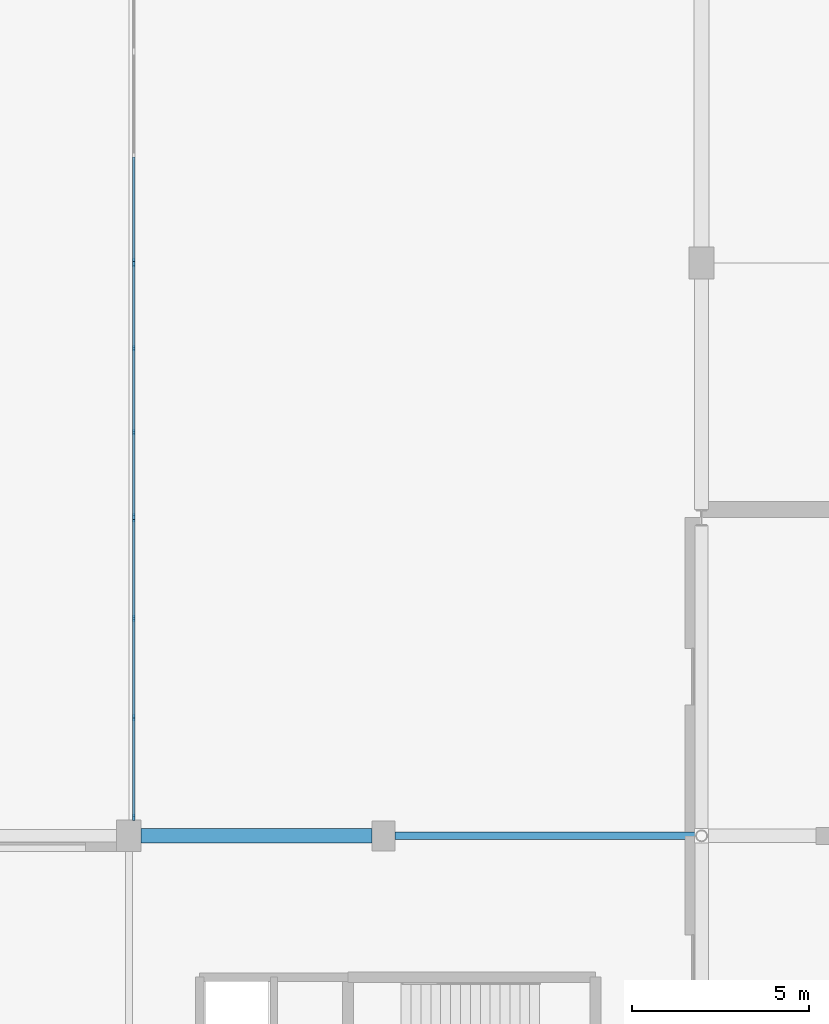
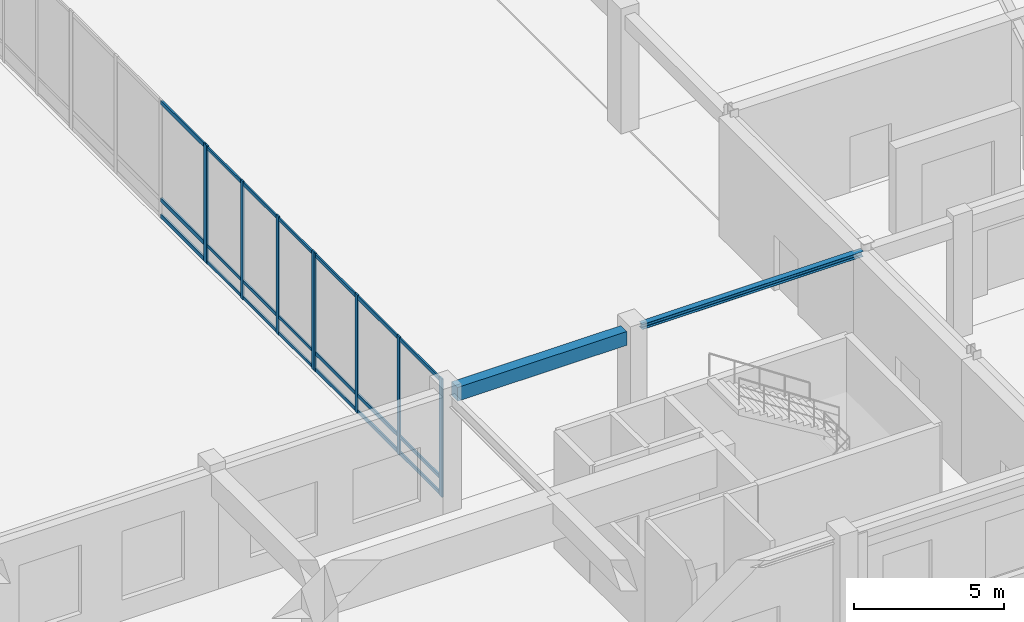
# One storey, part 12 of 64: 30 members, 2 beams, 3 elements without a shape of their own.
"""IFC4 building model written with IfcOpenShell, lengths in metres."""

from ifc_helpers import new_model, si_unit, direction, frame, origin, origin_2d, place, context, subcontext, project, spatial, rectangle, i_section, extrude, material, material_profile, profile_set, type_object, element, aggregate, save


model = new_model("IFC4")

# Units and contexts
model_context = context("Model", 3, precision=1e-05, world=origin(), true_north=direction((0.0, 1.0)))
body_context = subcontext(model_context, "Body", "Model", "MODEL_VIEW")
ifc_project = project(units=[si_unit("LENGTHUNIT", "METRE"), si_unit("AREAUNIT", "SQUARE_METRE"), si_unit("VOLUMEUNIT", "CUBIC_METRE"), si_unit("PLANEANGLEUNIT", "RADIAN"), si_unit("MASSUNIT", "GRAM", prefix="KILO")], contexts=[model_context])

# Site, building, storey
site_placement = place(None, origin())
site = spatial("IfcSite", under=ifc_project, at=site_placement, CompositionType="ELEMENT")
building_placement = place(site_placement, origin())
building = spatial("IfcBuilding", under=site, at=building_placement, Name="Clarverna Civic Hall", CompositionType="ELEMENT")
storey_placement = place(building_placement, origin())
storey = spatial("IfcBuildingStorey", under=building, at=storey_placement, Name="L00", CompositionType="ELEMENT", Elevation=0.0)

# Beams
ifc_material_1 = material(Name="Steel S355", Category="steel")
ifc_material_profile_1 = material_profile(ifc_material_1, i_section(OverallWidth=0.219970703125, OverallDepth=0.2099609375, WebThickness=0.007080078125, FlangeThickness=0.010986328125, FilletRadius=0.01806640625, at=origin_2d()), Name="HEA 220")
ifc_profile_set_1 = profile_set([ifc_material_profile_1], Name="Steel S355")
beam_type_1 = type_object("IfcBeamType", Name="B-LN1", PredefinedType="LINTEL", material=ifc_profile_set_1)
beam_1_placement = place(storey_placement, frame((57.925048828125, 14.0, 4.675048828125), z_axis=(1.0, 0.0, 0.0), x_axis=(0.0, 1.0, 0.0)))
element("IfcBeam", 1, at=beam_1_placement, inside=storey, type_object=beam_type_1, Name="B-LN1-003", PredefinedType="LINTEL", context=body_context, shape_type="SweptSolid", body=[
    extrude(i_section(OverallWidth=0.219970703125, OverallDepth=0.2099609375, WebThickness=0.007080078125, FlangeThickness=0.010986328125, FilletRadius=0.01806640625, at=origin_2d()), origin(), (0.0, 0.0, 1.0), 8.512939453125),
])
ifc_material_2 = material(Name="Concrete C35/45", Category="concrete")
ifc_material_profile_2 = material_profile(ifc_material_2, rectangle(XDim=0.39990234375, YDim=0.56005859375, at=origin_2d()), Name="RC 400x560")
ifc_profile_set_2 = profile_set([ifc_material_profile_2], Name="Concrete C35/45")
beam_type_2 = type_object("IfcBeamType", Name="B-SP4", PredefinedType="SPANDREL", material=ifc_profile_set_2)
beam_2_placement = place(storey_placement, frame((50.75, 14.0, 4.5), z_axis=(1.0, 0.0, 0.0), x_axis=(0.0, 1.0, 0.0)))
element("IfcBeam", 2, at=beam_2_placement, inside=storey, type_object=beam_type_2, Name="B-SP4-035", PredefinedType="SPANDREL", context=body_context, shape_type="SweptSolid", body=[
    extrude(rectangle(XDim=0.39990234375, YDim=0.56005859375, at=origin_2d()), origin(), (0.0, 0.0, 1.0), 6.52490234375),
])

# Curtain wall, members
ifc_material_3 = material(Name="Anodised Bronze Architectural Aluminium", Category="aluminium")
curtain_wall_type = type_object("IfcCurtainWallType", Name="CW-04", PredefinedType="USERDEFINED", material=ifc_material_3)
curtain_wall_1_placement = place(storey_placement, origin())
curtain_wall_1 = element("IfcCurtainWall", 3, at=curtain_wall_1_placement, inside=storey, type_object=curtain_wall_type, Name="CW-04-010", ObjectType="UNITISED CURTAIN WALL", PredefinedType="USERDEFINED")
ifc_material_profile_3 = material_profile(ifc_material_3, rectangle(XDim=0.06005859375, YDim=0.179931640625, at=origin_2d()), Name="BRONZE 60x180")
ifc_profile_set_3 = profile_set([ifc_material_profile_3], Name="Anodised Bronze Architectural Aluminium")
member_type_1 = type_object("IfcMemberType", Name="CWM-01", PredefinedType="MULLION", material=ifc_profile_set_3)
member_1_placement = place(storey_placement, frame((50.5400390625, 14.52294921875, 0.0), z_axis=(0.0, 0.0, 1.0), x_axis=(1.0, 0.0, 0.0)))
member_1 = element("IfcMember", 4, at=member_1_placement, type_object=member_type_1, Name="CWM-01-030", PredefinedType="MULLION", context=body_context, shape_type="SweptSolid", body=[
    extrude(rectangle(XDim=0.06005859375, YDim=0.179931640625, at=origin_2d()), origin(), (0.0, 0.0, 1.0), 4.820068359375),
])
member_2_placement = place(storey_placement, frame((50.5400390625, 17.337646484375, 0.0), z_axis=(0.0, 0.0, 1.0), x_axis=(1.0, 0.0, 0.0)))
member_2 = element("IfcMember", 5, at=member_2_placement, type_object=member_type_1, Name="CWM-01-031", PredefinedType="MULLION", context=body_context, shape_type="SweptSolid", body=[
    extrude(rectangle(XDim=0.06005859375, YDim=0.179931640625, at=origin_2d()), origin(), (0.0, 0.0, 1.0), 4.820068359375),
])
member_3_placement = place(storey_placement, frame((50.5400390625, 20.15234375, 0.0), z_axis=(0.0, 0.0, 1.0), x_axis=(1.0, 0.0, 0.0)))
member_3 = element("IfcMember", 6, at=member_3_placement, type_object=member_type_1, Name="CWM-01-032", PredefinedType="MULLION", context=body_context, shape_type="SweptSolid", body=[
    extrude(rectangle(XDim=0.06005859375, YDim=0.179931640625, at=origin_2d()), origin(), (0.0, 0.0, 1.0), 4.820068359375),
])
member_4_placement = place(storey_placement, frame((50.5400390625, 22.967041015625, 0.0), z_axis=(0.0, 0.0, 1.0), x_axis=(1.0, 0.0, 0.0)))
member_4 = element("IfcMember", 7, at=member_4_placement, type_object=member_type_1, Name="CWM-01-033", PredefinedType="MULLION", context=body_context, shape_type="SweptSolid", body=[
    extrude(rectangle(XDim=0.06005859375, YDim=0.179931640625, at=origin_2d()), origin(), (0.0, 0.0, 1.0), 4.820068359375),
])

curtain_wall_2_placement = place(storey_placement, origin())
curtain_wall_2 = element("IfcCurtainWall", 8, at=curtain_wall_2_placement, inside=storey, type_object=curtain_wall_type, Name="CW-04-011", ObjectType="UNITISED CURTAIN WALL", PredefinedType="USERDEFINED")
ifc_material_profile_4 = material_profile(ifc_material_3, rectangle(XDim=0.06005859375, YDim=0.159912109375, at=origin_2d()), Name="BRONZE 60x160")
ifc_profile_set_4 = profile_set([ifc_material_profile_4], Name="Anodised Bronze Architectural Aluminium")
member_type_2 = type_object("IfcMemberType", Name="CWM-02", PredefinedType="MULLION", material=ifc_profile_set_4)
member_5_placement = place(storey_placement, frame((50.5400390625, 23.032958984375, 0.0), z_axis=(0.0, 0.0, 1.0), x_axis=(1.0, 0.0, 0.0)))
member_5 = element("IfcMember", 9, at=member_5_placement, type_object=member_type_2, Name="CWM-02-029", PredefinedType="MULLION", context=body_context, shape_type="SweptSolid", body=[
    extrude(rectangle(XDim=0.06005859375, YDim=0.159912109375, at=origin_2d()), origin(), (0.0, 0.0, 1.0), 4.820068359375),
])
member_6_placement = place(storey_placement, frame((50.5400390625, 25.410888671875, 0.0), z_axis=(0.0, 0.0, 1.0), x_axis=(1.0, 0.0, 0.0)))
member_6 = element("IfcMember", 10, at=member_6_placement, type_object=member_type_2, Name="CWM-02-030", PredefinedType="MULLION", context=body_context, shape_type="SweptSolid", body=[
    extrude(rectangle(XDim=0.06005859375, YDim=0.159912109375, at=origin_2d()), origin(), (0.0, 0.0, 1.0), 4.820068359375),
])
member_7_placement = place(storey_placement, frame((50.5400390625, 27.7890625, 0.0), z_axis=(0.0, 0.0, 1.0), x_axis=(1.0, 0.0, 0.0)))
member_7 = element("IfcMember", 11, at=member_7_placement, type_object=member_type_2, Name="CWM-02-031", PredefinedType="MULLION", context=body_context, shape_type="SweptSolid", body=[
    extrude(rectangle(XDim=0.06005859375, YDim=0.159912109375, at=origin_2d()), origin(), (0.0, 0.0, 1.0), 4.820068359375),
])
member_8_placement = place(storey_placement, frame((50.5400390625, 30.1669921875, 0.0), z_axis=(0.0, 0.0, 1.0), x_axis=(1.0, 0.0, 0.0)))
member_8 = element("IfcMember", 12, at=member_8_placement, type_object=member_type_2, Name="CWM-02-032", PredefinedType="MULLION", context=body_context, shape_type="SweptSolid", body=[
    extrude(rectangle(XDim=0.06005859375, YDim=0.159912109375, at=origin_2d()), origin(), (0.0, 0.0, 1.0), 4.820068359375),
])

# Curtain wall, member
curtain_wall_3_placement = place(storey_placement, origin())
curtain_wall_3 = element("IfcCurtainWall", 13, at=curtain_wall_3_placement, inside=storey, type_object=curtain_wall_type, Name="CW-04-012", ObjectType="UNITISED CURTAIN WALL", PredefinedType="USERDEFINED")
ifc_material_profile_5 = material_profile(ifc_material_3, rectangle(XDim=0.06494140625, YDim=0.199951171875, at=origin_2d()), Name="BRONZE 65x200")
ifc_profile_set_5 = profile_set([ifc_material_profile_5], Name="Anodised Bronze Architectural Aluminium")
member_type_3 = type_object("IfcMemberType", Name="CWM-03", PredefinedType="MULLION", material=ifc_profile_set_5)
member_9_placement = place(storey_placement, frame((50.5400390625, 30.23291015625, 0.0), z_axis=(0.0, 0.0, 1.0), x_axis=(1.0, 0.0, 0.0)))
member_9 = element("IfcMember", 14, at=member_9_placement, type_object=member_type_3, Name="CWM-03-030", PredefinedType="MULLION", context=body_context, shape_type="SweptSolid", body=[
    extrude(rectangle(XDim=0.06494140625, YDim=0.199951171875, at=origin_2d()), origin(), (0.0, 0.0, 1.0), 4.820068359375),
])

# Member
ifc_material_profile_6 = material_profile(ifc_material_3, rectangle(XDim=0.06005859375, YDim=0.14990234375, at=origin_2d()), Name="BRONZE 60x150")
ifc_profile_set_6 = profile_set([ifc_material_profile_6], Name="Anodised Bronze Architectural Aluminium")
member_type_4 = type_object("IfcMemberType", Name="CWT-01", PredefinedType="USERDEFINED", material=ifc_profile_set_6)
member_10_placement = place(storey_placement, frame((50.5400390625, 14.5380859375, 0.094970703125), z_axis=(0.0, 1.0, 0.0), x_axis=(-1.0, 0.0, 0.0)))
member_10 = element("IfcMember", 15, at=member_10_placement, type_object=member_type_4, Name="CWT-01-061", ObjectType="TRANSOM", PredefinedType="USERDEFINED", context=body_context, shape_type="SweptSolid", body=[
    extrude(rectangle(XDim=0.06005859375, YDim=0.14990234375, at=origin_2d()), origin(), (0.0, 0.0, 1.0), 2.78466796875),
])

member_11_placement = place(storey_placement, frame((50.5400390625, 14.5380859375, 0.75), z_axis=(0.0, 1.0, 0.0), x_axis=(-1.0, 0.0, 0.0)))
member_11 = element("IfcMember", 16, at=member_11_placement, type_object=member_type_4, Name="CWT-01-062", ObjectType="TRANSOM", PredefinedType="USERDEFINED", context=body_context, shape_type="SweptSolid", body=[
    extrude(rectangle(XDim=0.06005859375, YDim=0.14990234375, at=origin_2d()), origin(), (0.0, 0.0, 1.0), 2.78466796875),
])

member_12_placement = place(storey_placement, frame((50.5400390625, 14.5380859375, 4.72509765625), z_axis=(0.0, 1.0, 0.0), x_axis=(-1.0, 0.0, 0.0)))
member_12 = element("IfcMember", 17, at=member_12_placement, type_object=member_type_4, Name="CWT-01-063", ObjectType="TRANSOM", PredefinedType="USERDEFINED", context=body_context, shape_type="SweptSolid", body=[
    extrude(rectangle(XDim=0.06005859375, YDim=0.14990234375, at=origin_2d()), origin(), (0.0, 0.0, 1.0), 2.78466796875),
])

member_13_placement = place(storey_placement, frame((50.5400390625, 17.352783203125, 0.094970703125), z_axis=(0.0, 1.0, 0.0), x_axis=(-1.0, 0.0, 0.0)))
member_13 = element("IfcMember", 18, at=member_13_placement, type_object=member_type_4, Name="CWT-01-064", ObjectType="TRANSOM", PredefinedType="USERDEFINED", context=body_context, shape_type="SweptSolid", body=[
    extrude(rectangle(XDim=0.06005859375, YDim=0.14990234375, at=origin_2d()), origin(), (0.0, 0.0, 1.0), 2.784423828125),
])

member_14_placement = place(storey_placement, frame((50.5400390625, 17.352783203125, 0.75), z_axis=(0.0, 1.0, 0.0), x_axis=(-1.0, 0.0, 0.0)))
member_14 = element("IfcMember", 19, at=member_14_placement, type_object=member_type_4, Name="CWT-01-065", ObjectType="TRANSOM", PredefinedType="USERDEFINED", context=body_context, shape_type="SweptSolid", body=[
    extrude(rectangle(XDim=0.06005859375, YDim=0.14990234375, at=origin_2d()), origin(), (0.0, 0.0, 1.0), 2.784423828125),
])

member_15_placement = place(storey_placement, frame((50.5400390625, 17.352783203125, 4.72509765625), z_axis=(0.0, 1.0, 0.0), x_axis=(-1.0, 0.0, 0.0)))
member_15 = element("IfcMember", 20, at=member_15_placement, type_object=member_type_4, Name="CWT-01-066", ObjectType="TRANSOM", PredefinedType="USERDEFINED", context=body_context, shape_type="SweptSolid", body=[
    extrude(rectangle(XDim=0.06005859375, YDim=0.14990234375, at=origin_2d()), origin(), (0.0, 0.0, 1.0), 2.784423828125),
])

member_16_placement = place(storey_placement, frame((50.5400390625, 20.167236328125, 0.094970703125), z_axis=(0.0, 1.0, 0.0), x_axis=(-1.0, 0.0, 0.0)))
member_16 = element("IfcMember", 21, at=member_16_placement, type_object=member_type_4, Name="CWT-01-067", ObjectType="TRANSOM", PredefinedType="USERDEFINED", context=body_context, shape_type="SweptSolid", body=[
    extrude(rectangle(XDim=0.06005859375, YDim=0.14990234375, at=origin_2d()), origin(), (0.0, 0.0, 1.0), 2.78466796875),
])

member_17_placement = place(storey_placement, frame((50.5400390625, 20.167236328125, 0.75), z_axis=(0.0, 1.0, 0.0), x_axis=(-1.0, 0.0, 0.0)))
member_17 = element("IfcMember", 22, at=member_17_placement, type_object=member_type_4, Name="CWT-01-068", ObjectType="TRANSOM", PredefinedType="USERDEFINED", context=body_context, shape_type="SweptSolid", body=[
    extrude(rectangle(XDim=0.06005859375, YDim=0.14990234375, at=origin_2d()), origin(), (0.0, 0.0, 1.0), 2.78466796875),
])

member_18_placement = place(storey_placement, frame((50.5400390625, 20.167236328125, 4.72509765625), z_axis=(0.0, 1.0, 0.0), x_axis=(-1.0, 0.0, 0.0)))
member_18 = element("IfcMember", 23, at=member_18_placement, type_object=member_type_4, Name="CWT-01-069", ObjectType="TRANSOM", PredefinedType="USERDEFINED", context=body_context, shape_type="SweptSolid", body=[
    extrude(rectangle(XDim=0.06005859375, YDim=0.14990234375, at=origin_2d()), origin(), (0.0, 0.0, 1.0), 2.78466796875),
])

aggregate(curtain_wall_1, [member_1, member_2, member_3, member_4, member_10, member_11, member_12, member_13, member_14, member_15, member_16, member_17, member_18])

ifc_material_profile_7 = material_profile(ifc_material_3, rectangle(XDim=0.06005859375, YDim=0.1298828125, at=origin_2d()), Name="BRONZE 60x130")
ifc_profile_set_7 = profile_set([ifc_material_profile_7], Name="Anodised Bronze Architectural Aluminium")
member_type_5 = type_object("IfcMemberType", Name="CWT-02", PredefinedType="USERDEFINED", material=ifc_profile_set_7)
member_19_placement = place(storey_placement, frame((50.5400390625, 23.048095703125, 0.094970703125), z_axis=(0.0, 1.0, 0.0), x_axis=(-1.0, 0.0, 0.0)))
member_19 = element("IfcMember", 24, at=member_19_placement, type_object=member_type_5, Name="CWT-02-058", ObjectType="TRANSOM", PredefinedType="USERDEFINED", context=body_context, shape_type="SweptSolid", body=[
    extrude(rectangle(XDim=0.06005859375, YDim=0.1298828125, at=origin_2d()), origin(), (0.0, 0.0, 1.0), 2.347900390625),
])

member_20_placement = place(storey_placement, frame((50.5400390625, 23.048095703125, 0.75), z_axis=(0.0, 1.0, 0.0), x_axis=(-1.0, 0.0, 0.0)))
member_20 = element("IfcMember", 25, at=member_20_placement, type_object=member_type_5, Name="CWT-02-059", ObjectType="TRANSOM", PredefinedType="USERDEFINED", context=body_context, shape_type="SweptSolid", body=[
    extrude(rectangle(XDim=0.06005859375, YDim=0.1298828125, at=origin_2d()), origin(), (0.0, 0.0, 1.0), 2.347900390625),
])

member_21_placement = place(storey_placement, frame((50.5400390625, 23.048095703125, 4.72509765625), z_axis=(0.0, 1.0, 0.0), x_axis=(-1.0, 0.0, 0.0)))
member_21 = element("IfcMember", 26, at=member_21_placement, type_object=member_type_5, Name="CWT-02-060", ObjectType="TRANSOM", PredefinedType="USERDEFINED", context=body_context, shape_type="SweptSolid", body=[
    extrude(rectangle(XDim=0.06005859375, YDim=0.1298828125, at=origin_2d()), origin(), (0.0, 0.0, 1.0), 2.347900390625),
])

member_22_placement = place(storey_placement, frame((50.5400390625, 25.426025390625, 0.094970703125), z_axis=(0.0, 1.0, 0.0), x_axis=(-1.0, 0.0, 0.0)))
member_22 = element("IfcMember", 27, at=member_22_placement, type_object=member_type_5, Name="CWT-02-061", ObjectType="TRANSOM", PredefinedType="USERDEFINED", context=body_context, shape_type="SweptSolid", body=[
    extrude(rectangle(XDim=0.06005859375, YDim=0.1298828125, at=origin_2d()), origin(), (0.0, 0.0, 1.0), 2.347900390625),
])

member_23_placement = place(storey_placement, frame((50.5400390625, 25.426025390625, 0.75), z_axis=(0.0, 1.0, 0.0), x_axis=(-1.0, 0.0, 0.0)))
member_23 = element("IfcMember", 28, at=member_23_placement, type_object=member_type_5, Name="CWT-02-062", ObjectType="TRANSOM", PredefinedType="USERDEFINED", context=body_context, shape_type="SweptSolid", body=[
    extrude(rectangle(XDim=0.06005859375, YDim=0.1298828125, at=origin_2d()), origin(), (0.0, 0.0, 1.0), 2.347900390625),
])

member_24_placement = place(storey_placement, frame((50.5400390625, 25.426025390625, 4.72509765625), z_axis=(0.0, 1.0, 0.0), x_axis=(-1.0, 0.0, 0.0)))
member_24 = element("IfcMember", 29, at=member_24_placement, type_object=member_type_5, Name="CWT-02-063", ObjectType="TRANSOM", PredefinedType="USERDEFINED", context=body_context, shape_type="SweptSolid", body=[
    extrude(rectangle(XDim=0.06005859375, YDim=0.1298828125, at=origin_2d()), origin(), (0.0, 0.0, 1.0), 2.347900390625),
])

member_25_placement = place(storey_placement, frame((50.5400390625, 27.803955078125, 0.094970703125), z_axis=(0.0, 1.0, 0.0), x_axis=(-1.0, 0.0, 0.0)))
member_25 = element("IfcMember", 30, at=member_25_placement, type_object=member_type_5, Name="CWT-02-064", ObjectType="TRANSOM", PredefinedType="USERDEFINED", context=body_context, shape_type="SweptSolid", body=[
    extrude(rectangle(XDim=0.06005859375, YDim=0.1298828125, at=origin_2d()), origin(), (0.0, 0.0, 1.0), 2.34814453125),
])

member_26_placement = place(storey_placement, frame((50.5400390625, 27.803955078125, 0.75), z_axis=(0.0, 1.0, 0.0), x_axis=(-1.0, 0.0, 0.0)))
member_26 = element("IfcMember", 31, at=member_26_placement, type_object=member_type_5, Name="CWT-02-065", ObjectType="TRANSOM", PredefinedType="USERDEFINED", context=body_context, shape_type="SweptSolid", body=[
    extrude(rectangle(XDim=0.06005859375, YDim=0.1298828125, at=origin_2d()), origin(), (0.0, 0.0, 1.0), 2.34814453125),
])

member_27_placement = place(storey_placement, frame((50.5400390625, 27.803955078125, 4.72509765625), z_axis=(0.0, 1.0, 0.0), x_axis=(-1.0, 0.0, 0.0)))
member_27 = element("IfcMember", 32, at=member_27_placement, type_object=member_type_5, Name="CWT-02-066", ObjectType="TRANSOM", PredefinedType="USERDEFINED", context=body_context, shape_type="SweptSolid", body=[
    extrude(rectangle(XDim=0.06005859375, YDim=0.1298828125, at=origin_2d()), origin(), (0.0, 0.0, 1.0), 2.34814453125),
])

aggregate(curtain_wall_2, [member_5, member_6, member_7, member_8, member_19, member_20, member_21, member_22, member_23, member_24, member_25, member_26, member_27])

ifc_material_profile_8 = material_profile(ifc_material_3, rectangle(XDim=0.06494140625, YDim=0.169921875, at=origin_2d()), Name="BRONZE 65x170")
ifc_profile_set_8 = profile_set([ifc_material_profile_8], Name="Anodised Bronze Architectural Aluminium")
member_type_6 = type_object("IfcMemberType", Name="CWT-03", PredefinedType="USERDEFINED", material=ifc_profile_set_8)
member_28_placement = place(storey_placement, frame((50.5400390625, 30.248046875, 0.094970703125), z_axis=(0.0, 1.0, 0.0), x_axis=(-1.0, 0.0, 0.0)))
member_28 = element("IfcMember", 33, at=member_28_placement, type_object=member_type_6, Name="CWT-03-061", ObjectType="TRANSOM", PredefinedType="USERDEFINED", context=body_context, shape_type="SweptSolid", body=[
    extrude(rectangle(XDim=0.06494140625, YDim=0.169921875, at=origin_2d()), origin(), (0.0, 0.0, 1.0), 2.947998046875),
])

member_29_placement = place(storey_placement, frame((50.5400390625, 30.248046875, 0.75), z_axis=(0.0, 1.0, 0.0), x_axis=(-1.0, 0.0, 0.0)))
member_29 = element("IfcMember", 34, at=member_29_placement, type_object=member_type_6, Name="CWT-03-062", ObjectType="TRANSOM", PredefinedType="USERDEFINED", context=body_context, shape_type="SweptSolid", body=[
    extrude(rectangle(XDim=0.06494140625, YDim=0.169921875, at=origin_2d()), origin(), (0.0, 0.0, 1.0), 2.947998046875),
])

member_30_placement = place(storey_placement, frame((50.5400390625, 30.248046875, 4.72509765625), z_axis=(0.0, 1.0, 0.0), x_axis=(-1.0, 0.0, 0.0)))
member_30 = element("IfcMember", 35, at=member_30_placement, type_object=member_type_6, Name="CWT-03-063", ObjectType="TRANSOM", PredefinedType="USERDEFINED", context=body_context, shape_type="SweptSolid", body=[
    extrude(rectangle(XDim=0.06494140625, YDim=0.169921875, at=origin_2d()), origin(), (0.0, 0.0, 1.0), 2.947998046875),
])

aggregate(curtain_wall_3, [member_9, member_28, member_29, member_30])

save(model, "model.ifc")
